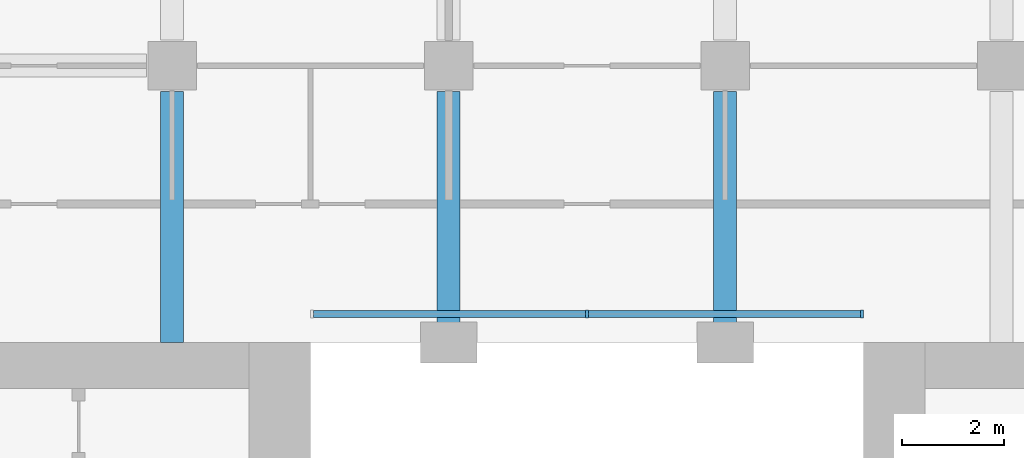
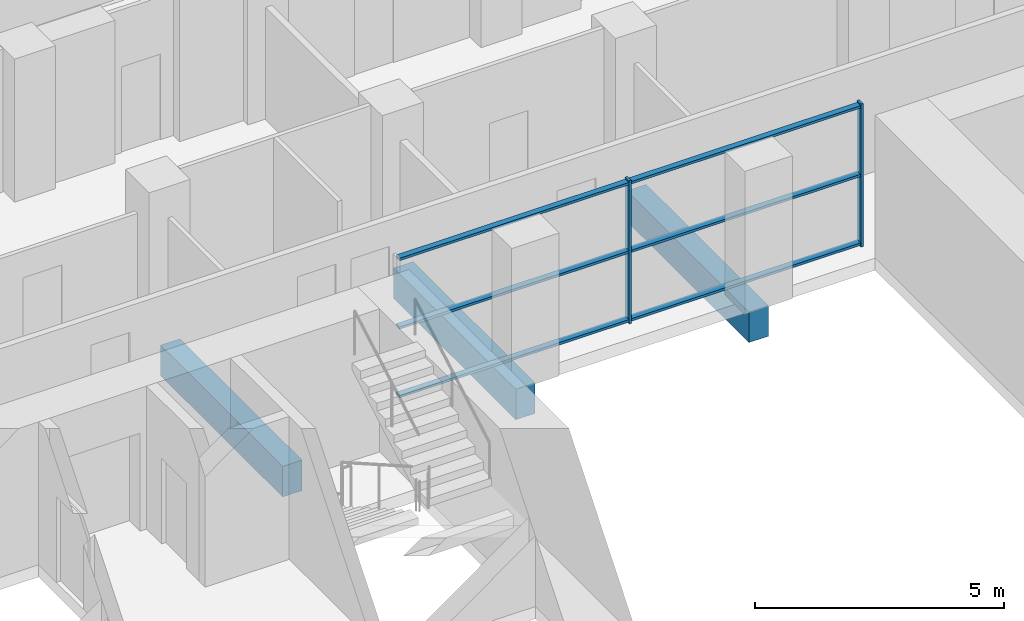
# One storey, part 4 of 14: 8 members, 3 beams, 1 element without a shape of its own.
"""IFC4 building model written with IfcOpenShell, lengths in metres."""

from ifc_helpers import new_model, si_unit, direction, frame, origin, origin_2d, place, context, subcontext, project, spatial, rectangle, extrude, material, material_profile, profile_set, type_object, element, aggregate, save


model = new_model("IFC4")

# Units and contexts
model_context = context("Model", 3, precision=1e-05, world=origin(), true_north=direction((0.0, 1.0)))
body_context = subcontext(model_context, "Body", "Model", "MODEL_VIEW")
ifc_project = project(units=[si_unit("LENGTHUNIT", "METRE"), si_unit("AREAUNIT", "SQUARE_METRE"), si_unit("VOLUMEUNIT", "CUBIC_METRE"), si_unit("PLANEANGLEUNIT", "RADIAN"), si_unit("MASSUNIT", "GRAM", prefix="KILO")], contexts=[model_context])

# Site, building, storey
site_placement = place(None, origin())
site = spatial("IfcSite", under=ifc_project, at=site_placement, CompositionType="ELEMENT")
building_placement = place(site_placement, origin())
building = spatial("IfcBuilding", under=site, at=building_placement, Name="Tabaq Tower and Sports Hall", CompositionType="ELEMENT")
storey_placement = place(building_placement, frame((0.0, 0.0, 95.39990234375)))
storey = spatial("IfcBuildingStorey", under=building, at=storey_placement, Name="L22", CompositionType="ELEMENT", Elevation=95.39990234375)

# Curtain wall, members
ifc_material_1 = material(Name="Aluminium alloy 6063-T6 framed glazing", Category="aluminium")
curtain_wall_type = type_object("IfcCurtainWallType", Name="CW1 curtain wall", PredefinedType="USERDEFINED", material=ifc_material_1)
curtain_wall_placement = place(storey_placement, origin())
curtain_wall = element("IfcCurtainWall", 1, at=curtain_wall_placement, inside=storey, type_object=curtain_wall_type, Name="Atrium glazing L22 N", ObjectType="ATRIUM ENCLOSURE", PredefinedType="USERDEFINED")
ifc_material_2 = material(Name="Aluminium alloy 6063-T6", Category="aluminium")
ifc_material_profile_1 = material_profile(ifc_material_2, rectangle(XDim=0.159912109375, YDim=0.06005859375, at=origin_2d()), Name="MULLION 160x60")
ifc_profile_set_1 = profile_set([ifc_material_profile_1], Name="Aluminium alloy 6063-T6")
member_type_1 = type_object("IfcMemberType", Name="CW1 mullion 160x60", PredefinedType="MULLION", material=ifc_profile_set_1)
member_1_placement = place(storey_placement, frame((24.300048828125, 32.949951171875, 0.0), z_axis=(0.0, 0.0, 1.0), x_axis=(0.0, 1.0, 0.0)))
member_1 = element("IfcMember", 2, at=member_1_placement, type_object=member_type_1, Name="CW1 mullion 2", PredefinedType="MULLION", context=body_context, shape_type="SweptSolid", body=[
    extrude(rectangle(XDim=0.159912109375, YDim=0.06005859375, at=origin_2d()), origin(), (0.0, 0.0, 1.0), 3.5),
])
member_2_placement = place(storey_placement, frame((29.669921875, 32.949951171875, 0.0), z_axis=(0.0, 0.0, 1.0), x_axis=(0.0, 1.0, 0.0)))
member_2 = element("IfcMember", 3, at=member_2_placement, type_object=member_type_1, Name="CW1 mullion 3", PredefinedType="MULLION", context=body_context, shape_type="SweptSolid", body=[
    extrude(rectangle(XDim=0.159912109375, YDim=0.06005859375, at=origin_2d()), origin(), (0.0, 0.0, 1.0), 3.5),
])
ifc_material_3 = material(Name="Aluminium alloy 6063-T6", Category="aluminium")
ifc_material_profile_2 = material_profile(ifc_material_3, rectangle(XDim=0.139892578125, YDim=0.06005859375, at=origin_2d()), Name="TRANSOM 140x60")
ifc_profile_set_2 = profile_set([ifc_material_profile_2], Name="Aluminium alloy 6063-T6")
member_type_2 = type_object("IfcMemberType", Name="CW1 transom 140x60", PredefinedType="USERDEFINED", material=ifc_profile_set_2)
member_3_placement = place(storey_placement, frame((18.9599609375, 32.949951171875, 0.070068359375), z_axis=(1.0, 0.0, 0.0), x_axis=(0.0, 1.0, 0.0)))
member_3 = element("IfcMember", 4, at=member_3_placement, type_object=member_type_2, Name="CW1 transom 1.1", ObjectType="TRANSOM", PredefinedType="USERDEFINED", context=body_context, shape_type="SweptSolid", body=[
    extrude(rectangle(XDim=0.139892578125, YDim=0.06005859375, at=origin_2d()), origin(), (0.0, 0.0, 1.0), 5.31005859375),
])
member_4_placement = place(storey_placement, frame((18.9599609375, 32.949951171875, 1.75), z_axis=(1.0, 0.0, 0.0), x_axis=(0.0, 1.0, 0.0)))
member_4 = element("IfcMember", 5, at=member_4_placement, type_object=member_type_2, Name="CW1 transom 1.2", ObjectType="TRANSOM", PredefinedType="USERDEFINED", context=body_context, shape_type="SweptSolid", body=[
    extrude(rectangle(XDim=0.139892578125, YDim=0.06005859375, at=origin_2d()), origin(), (0.0, 0.0, 1.0), 5.31005859375),
])
member_5_placement = place(storey_placement, frame((18.9599609375, 32.949951171875, 3.43017578125), z_axis=(1.0, 0.0, 0.0), x_axis=(0.0, 1.0, 0.0)))
member_5 = element("IfcMember", 6, at=member_5_placement, type_object=member_type_2, Name="CW1 transom 1.3", ObjectType="TRANSOM", PredefinedType="USERDEFINED", context=body_context, shape_type="SweptSolid", body=[
    extrude(rectangle(XDim=0.139892578125, YDim=0.06005859375, at=origin_2d()), origin(), (0.0, 0.0, 1.0), 5.31005859375),
])
member_6_placement = place(storey_placement, frame((24.330078125, 32.949951171875, 0.070068359375), z_axis=(1.0, 0.0, 0.0), x_axis=(0.0, 1.0, 0.0)))
member_6 = element("IfcMember", 7, at=member_6_placement, type_object=member_type_2, Name="CW1 transom 2.1", ObjectType="TRANSOM", PredefinedType="USERDEFINED", context=body_context, shape_type="SweptSolid", body=[
    extrude(rectangle(XDim=0.139892578125, YDim=0.06005859375, at=origin_2d()), origin(), (0.0, 0.0, 1.0), 5.309814453125),
])
member_7_placement = place(storey_placement, frame((24.330078125, 32.949951171875, 1.75), z_axis=(1.0, 0.0, 0.0), x_axis=(0.0, 1.0, 0.0)))
member_7 = element("IfcMember", 8, at=member_7_placement, type_object=member_type_2, Name="CW1 transom 2.2", ObjectType="TRANSOM", PredefinedType="USERDEFINED", context=body_context, shape_type="SweptSolid", body=[
    extrude(rectangle(XDim=0.139892578125, YDim=0.06005859375, at=origin_2d()), origin(), (0.0, 0.0, 1.0), 5.309814453125),
])
member_8_placement = place(storey_placement, frame((24.330078125, 32.949951171875, 3.43017578125), z_axis=(1.0, 0.0, 0.0), x_axis=(0.0, 1.0, 0.0)))
member_8 = element("IfcMember", 9, at=member_8_placement, type_object=member_type_2, Name="CW1 transom 2.3", ObjectType="TRANSOM", PredefinedType="USERDEFINED", context=body_context, shape_type="SweptSolid", body=[
    extrude(rectangle(XDim=0.139892578125, YDim=0.06005859375, at=origin_2d()), origin(), (0.0, 0.0, 1.0), 5.309814453125),
])
aggregate(curtain_wall, [member_1, member_2, member_3, member_4, member_5, member_6, member_7, member_8])

# Beams
ifc_material_4 = material(Name="Concrete C40/50", Category="concrete")
ifc_material_profile_3 = material_profile(ifc_material_4, rectangle(XDim=0.449951171875, YDim=0.75, at=origin_2d()), Name="CB 450x750")
ifc_profile_set_3 = profile_set([ifc_material_profile_3], Name="Concrete C40/50")
beam_type = type_object("IfcBeamType", Name="PT CANTILEVER BEAM CB 450x750 C40/50", PredefinedType="BEAM", material=ifc_profile_set_3)
for number, where, z_axis, x_axis, name in (
    (10, (16.199951171875, 37.300048828125, -0.6748046875), (0.0, -1.0, 0.0), (1.0, 0.0, 0.0), "Cantilever Beam L22 N3 span 3"),
    (11, (21.60009765625, 37.300048828125, -0.6748046875), (0.0, -1.0, 0.0), (1.0, 0.0, 0.0), "Cantilever Beam L22 N4 span 3"),
    (12, (27.0, 37.300048828125, -0.6748046875), (0.0, -1.0, 0.0), (1.0, 0.0, 0.0), "Cantilever Beam L22 N5 span 3"),
):
    element("IfcBeam", number, at=place(storey_placement, frame(where, z_axis=z_axis, x_axis=x_axis)), inside=storey, type_object=beam_type, Name=name, PredefinedType="BEAM", context=body_context, shape_type="SweptSolid", body=[
        extrude(rectangle(XDim=0.449951171875, YDim=0.75, at=origin_2d()), origin(), (0.0, 0.0, 1.0), 4.900146484375),
    ])

save(model, "model.ifc")
